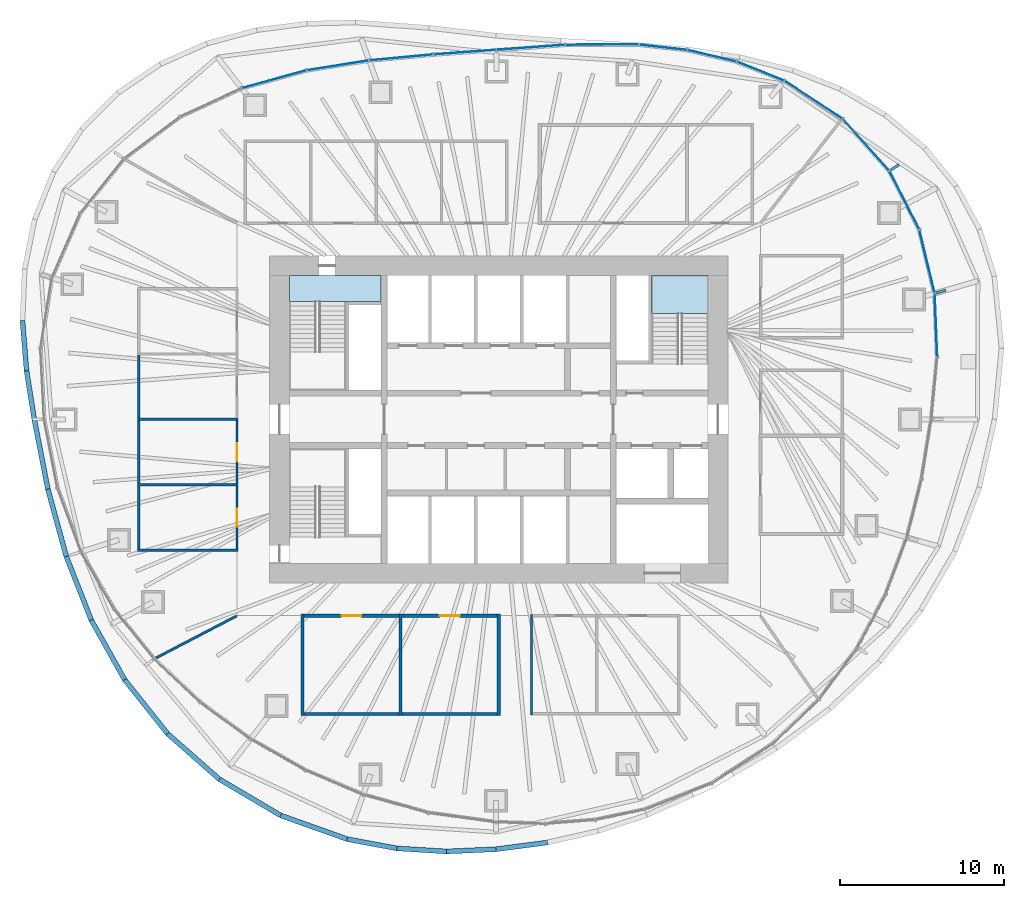
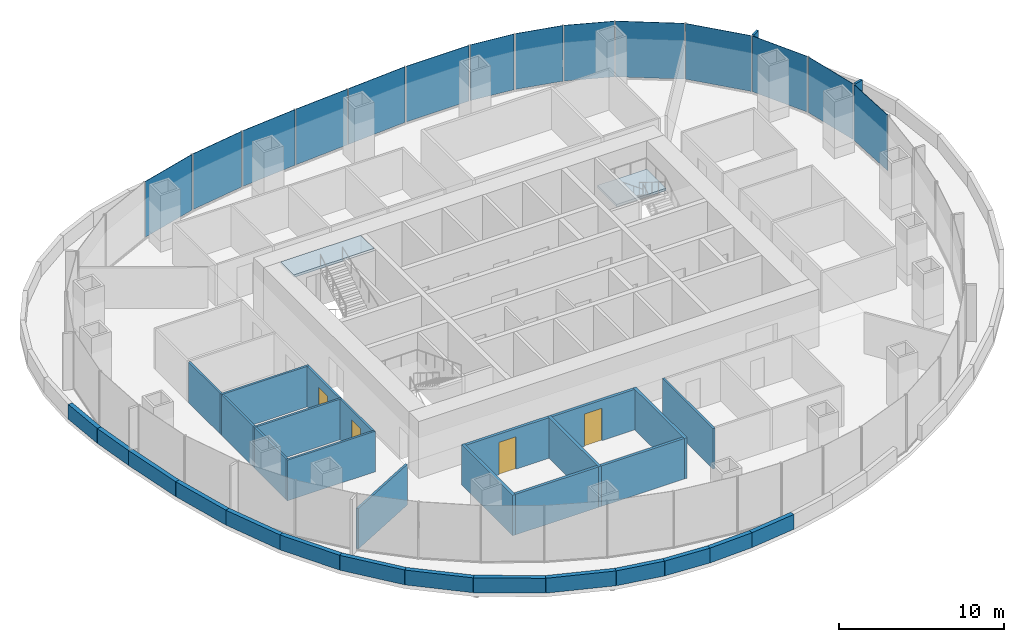
# One storey, part 8 of 12: 31 walls, 16 plates, 4 doors, 2 slabs, 4 openings, 9 elements without a shape of their own.
"""IFC4 building model written with IfcOpenShell, lengths in metres."""

from ifc_helpers import new_model, si_unit, direction, frame, frame_2d, origin, origin_2d, place, context, subcontext, project, spatial, polyline, rectangle, outline, extrude, material, layer, layer_set, type_object, element, fill, aggregate, save


model = new_model("IFC4")

# Units and contexts
model_context = context("Model", 3, precision=1e-05, world=origin(), true_north=direction((0.0, 1.0)))
body_context = subcontext(model_context, "Body", "Model", "MODEL_VIEW")
ifc_project = project(units=[si_unit("LENGTHUNIT", "METRE"), si_unit("AREAUNIT", "SQUARE_METRE"), si_unit("VOLUMEUNIT", "CUBIC_METRE"), si_unit("PLANEANGLEUNIT", "RADIAN"), si_unit("MASSUNIT", "GRAM", prefix="KILO")], contexts=[model_context])

# Site, building, storey
site_placement = place(None, origin())
site = spatial("IfcSite", under=ifc_project, at=site_placement, CompositionType="ELEMENT")
building_placement = place(site_placement, origin())
building = spatial("IfcBuilding", under=site, at=building_placement, Name="Ghaith Harvest Tower", CompositionType="ELEMENT")
storey_placement = place(building_placement, frame((0.0, 0.0, 194.800048828125)))
storey = spatial("IfcBuildingStorey", under=building, at=storey_placement, Name="L42", CompositionType="ELEMENT", Elevation=194.800048828125)

# Curtain wall, plate
ifc_material_1 = material(Name="Black anodised aluminium and fritted glass", Category="aluminium")
curtain_wall_type = type_object("IfcCurtainWallType", Name="CW-H CURTAIN WALL", PredefinedType="NOTDEFINED", material=ifc_material_1)
curtain_wall_1_placement = place(storey_placement, origin())
curtain_wall_1 = element("IfcCurtainWall", 1, at=curtain_wall_1_placement, inside=storey, type_object=curtain_wall_type, Name="Curtain wall CW-H bay 01 L42", PredefinedType="NOTDEFINED")
ifc_material_2 = material(Name="Glass, dark solar-control fritted double glazed unit", Category="glass")
ifc_layer_1 = layer(ifc_material_2, 0.030029296875)
ifc_layer_set_1 = layer_set([ifc_layer_1], Name="CW-H VISION PANEL")
plate_type_1 = type_object("IfcPlateType", Name="CW-H VISION PANEL", PredefinedType="CURTAIN_PANEL", material=ifc_layer_set_1)
plate_1_placement = place(storey_placement, frame((26.7255859375, 5.74853515625, 0.079833984375), z_axis=(0.0, 0.0, 1.0), x_axis=(-0.040462173218, 0.999181070947, 0.0)))
plate_1 = element("IfcPlate", 2, at=plate_1_placement, type_object=plate_type_1, Name="CW-H glass unit 2 bay 01 L42", PredefinedType="CURTAIN_PANEL", context=body_context, shape_type="SweptSolid", body=[
    extrude(rectangle(XDim=3.82861328125, YDim=0.030029296875, at=origin_2d()), origin(), (0.0, 0.0, 1.0), 4.1201171875),
])
aggregate(curtain_wall_1, [plate_1])

# Curtain wall, plates
curtain_wall_2_placement = place(storey_placement, origin())
curtain_wall_2 = element("IfcCurtainWall", 3, at=curtain_wall_2_placement, inside=storey, type_object=curtain_wall_type, Name="Curtain wall CW-H bay 02 L42", PredefinedType="NOTDEFINED")
plate_2_placement = place(storey_placement, frame((26.1767578125, 9.6533203125, 0.079833984375), z_axis=(0.0, 0.0, 1.0), x_axis=(-0.233894000303, 0.972262102842, 0.0)))
plate_2 = element("IfcPlate", 4, at=plate_2_placement, type_object=plate_type_1, Name="CW-H glass unit 1 bay 02 L42", PredefinedType="CURTAIN_PANEL", context=body_context, shape_type="SweptSolid", body=[
    extrude(rectangle(XDim=3.935546875, YDim=0.030029296875, at=origin_2d()), origin(), (0.0, 0.0, 1.0), 4.1201171875),
])
plate_3_placement = place(storey_placement, frame((24.790771484375, 13.399658203125, 0.079833984375), z_axis=(0.0, 0.0, 1.0), x_axis=(-0.454915320985, 0.890534699342, 0.0)))
plate_3 = element("IfcPlate", 5, at=plate_3_placement, type_object=plate_type_1, Name="CW-H glass unit 2 bay 02 L42", PredefinedType="CURTAIN_PANEL", context=body_context, shape_type="SweptSolid", body=[
    extrude(rectangle(XDim=3.949462890625, YDim=0.030029296875, at=origin_2d()), origin(), (0.0, 0.0, 1.0), 4.1201171875),
])
aggregate(curtain_wall_2, [plate_2, plate_3])

curtain_wall_3_placement = place(storey_placement, origin())
curtain_wall_3 = element("IfcCurtainWall", 6, at=curtain_wall_3_placement, inside=storey, type_object=curtain_wall_type, Name="Curtain wall CW-H bay 03 L42", PredefinedType="NOTDEFINED")
plate_4_placement = place(storey_placement, frame((22.44384765625, 16.783935546875, 0.079833984375), z_axis=(0.0, 0.0, 1.0), x_axis=(-0.668757736889, 0.743480389352, 0.0)))
plate_4 = element("IfcPlate", 7, at=plate_4_placement, type_object=plate_type_1, Name="CW-H glass unit 1 bay 03 L42", PredefinedType="CURTAIN_PANEL", context=body_context, shape_type="SweptSolid", body=[
    extrude(rectangle(XDim=4.19775390625, YDim=0.030029296875, at=origin_2d()), origin(), (0.0, 0.0, 1.0), 4.1201171875),
])
plate_5_placement = place(storey_placement, frame((19.236328125, 19.539306640625, 0.079833984375), z_axis=(0.0, 0.0, 1.0), x_axis=(-0.836276741583, 0.548307588392, 0.0)))
plate_5 = element("IfcPlate", 8, at=plate_5_placement, type_object=plate_type_1, Name="CW-H glass unit 2 bay 03 L42", PredefinedType="CURTAIN_PANEL", context=body_context, shape_type="SweptSolid", body=[
    extrude(rectangle(XDim=4.169677734375, YDim=0.030029296875, at=origin_2d()), origin(), (0.0, 0.0, 1.0), 4.1201171875),
])
aggregate(curtain_wall_3, [plate_4, plate_5])

curtain_wall_4_placement = place(storey_placement, origin())
curtain_wall_4 = element("IfcCurtainWall", 9, at=curtain_wall_4_placement, inside=storey, type_object=curtain_wall_type, Name="Curtain wall CW-H bay 04 L42", PredefinedType="NOTDEFINED")
plate_6_placement = place(storey_placement, frame((15.993408203125, 21.287841796875, 0.079833984375), z_axis=(0.0, 0.0, 1.0), x_axis=(-0.929107322045, 0.369810200133, 0.0)))
plate_6 = element("IfcPlate", 10, at=plate_6_placement, type_object=plate_type_1, Name="CW-H glass unit 1 bay 04 L42", PredefinedType="CURTAIN_PANEL", context=body_context, shape_type="SweptSolid", body=[
    extrude(rectangle(XDim=3.075927734375, YDim=0.030029296875, at=origin_2d()), origin(), (0.0, 0.0, 1.0), 4.1201171875),
])
plate_7_placement = place(storey_placement, frame((13.027099609375, 22.225341796875, 0.079833984375), z_axis=(0.0, 0.0, 1.0), x_axis=(-0.973266235028, 0.229679854916, 0.0)))
plate_7 = element("IfcPlate", 11, at=plate_7_placement, type_object=plate_type_1, Name="CW-H glass unit 2 bay 04 L42", PredefinedType="CURTAIN_PANEL", context=body_context, shape_type="SweptSolid", body=[
    extrude(rectangle(XDim=3.00244140625, YDim=0.030029296875, at=origin_2d()), origin(), (0.0, 0.0, 1.0), 4.1201171875),
])
plate_8_placement = place(storey_placement, frame((10.045654296875, 22.744384765625, 0.079833984375), z_axis=(0.0, 0.0, 1.0), x_axis=(-0.993865217442, 0.11059805405, 0.0)))
plate_8 = element("IfcPlate", 12, at=plate_8_placement, type_object=plate_type_1, Name="CW-H glass unit 3 bay 04 L42", PredefinedType="CURTAIN_PANEL", context=body_context, shape_type="SweptSolid", body=[
    extrude(rectangle(XDim=2.901123046875, YDim=0.030029296875, at=origin_2d()), origin(), (0.0, 0.0, 1.0), 4.1201171875),
])
aggregate(curtain_wall_4, [plate_6, plate_7, plate_8])

curtain_wall_5_placement = place(storey_placement, origin())
curtain_wall_5 = element("IfcCurtainWall", 13, at=curtain_wall_5_placement, inside=storey, type_object=curtain_wall_type, Name="Curtain wall CW-H bay 05 L42", PredefinedType="NOTDEFINED")
plate_9_placement = place(storey_placement, frame((6.31201171875, 22.904296875, 0.079833984375), z_axis=(0.0, 0.0, 1.0), x_axis=(-0.999997643645, -0.002170876291, 0.0)))
plate_9 = element("IfcPlate", 14, at=plate_9_placement, type_object=plate_type_1, Name="CW-H glass unit 1 bay 05 L42", PredefinedType="CURTAIN_PANEL", context=body_context, shape_type="SweptSolid", body=[
    extrude(rectangle(XDim=4.4248046875, YDim=0.030029296875, at=origin_2d()), origin(), (0.0, 0.0, 1.0), 4.1201171875),
])
plate_10_placement = place(storey_placement, frame((1.952392578125, 22.744873046875, 0.079833984375), z_axis=(0.0, 0.0, 1.0), x_axis=(-0.997324570719, -0.073100619976, 0.0)))
plate_10 = element("IfcPlate", 15, at=plate_10_placement, type_object=plate_type_1, Name="CW-H glass unit 2 bay 05 L42", PredefinedType="CURTAIN_PANEL", context=body_context, shape_type="SweptSolid", body=[
    extrude(rectangle(XDim=4.1455078125, YDim=0.030029296875, at=origin_2d()), origin(), (0.0, 0.0, 1.0), 4.1201171875),
])
aggregate(curtain_wall_5, [plate_9, plate_10])

curtain_wall_6_placement = place(storey_placement, origin())
curtain_wall_6 = element("IfcCurtainWall", 16, at=curtain_wall_6_placement, inside=storey, type_object=curtain_wall_type, Name="Curtain wall CW-H bay 06 L42", PredefinedType="NOTDEFINED")
plate_11_placement = place(storey_placement, frame((-2.0693359375, 22.450439453125, 0.079833984375), z_axis=(0.0, 0.0, 1.0), x_axis=(-0.997334393671, -0.072966479985, 0.0)))
plate_11 = element("IfcPlate", 17, at=plate_11_placement, type_object=plate_type_1, Name="CW-H glass unit 1 bay 06 L42", PredefinedType="CURTAIN_PANEL", context=body_context, shape_type="SweptSolid", body=[
    extrude(rectangle(XDim=3.759765625, YDim=0.030029296875, at=origin_2d()), origin(), (0.0, 0.0, 1.0), 4.1201171875),
])
plate_12_placement = place(storey_placement, frame((-5.954345703125, 22.12548828125, 0.079833984375), z_axis=(0.0, 0.0, 1.0), x_axis=(-0.995631991968, -0.093364535934, 0.0)))
plate_12 = element("IfcPlate", 18, at=plate_12_placement, type_object=plate_type_1, Name="CW-H glass unit 2 bay 06 L42", PredefinedType="CURTAIN_PANEL", context=body_context, shape_type="SweptSolid", body=[
    extrude(rectangle(XDim=3.87744140625, YDim=0.030029296875, at=origin_2d()), origin(), (0.0, 0.0, 1.0), 4.1201171875),
])
aggregate(curtain_wall_6, [plate_11, plate_12])

curtain_wall_7_placement = place(storey_placement, origin())
curtain_wall_7 = element("IfcCurtainWall", 19, at=curtain_wall_7_placement, inside=storey, type_object=curtain_wall_type, Name="Curtain wall CW-H bay 07 L42", PredefinedType="NOTDEFINED")
plate_13_placement = place(storey_placement, frame((-9.83837890625, 21.638671875, 0.079833984375), z_axis=(0.0, 0.0, 1.0), x_axis=(-0.98777033338, -0.155915901993, 0.0)))
plate_13 = element("IfcPlate", 20, at=plate_13_placement, type_object=plate_type_1, Name="CW-H glass unit 1 bay 07 L42", PredefinedType="CURTAIN_PANEL", context=body_context, shape_type="SweptSolid", body=[
    extrude(rectangle(XDim=3.795166015625, YDim=0.030029296875, at=origin_2d()), origin(), (0.0, 0.0, 1.0), 4.1201171875),
])
plate_14_placement = place(storey_placement, frame((-13.736572265625, 20.78955078125, 0.079833984375), z_axis=(0.0, 0.0, 1.0), x_axis=(-0.964034113875, -0.26577853052, 0.0)))
plate_14 = element("IfcPlate", 21, at=plate_14_placement, type_object=plate_type_1, Name="CW-H glass unit 2 bay 07 L42", PredefinedType="CURTAIN_PANEL", context=body_context, shape_type="SweptSolid", body=[
    extrude(rectangle(XDim=4.03662109375, YDim=0.030029296875, at=origin_2d()), origin(), (0.0, 0.0, 1.0), 4.1201171875),
])
aggregate(curtain_wall_7, [plate_13, plate_14])

# Stair, slab
ifc_material_3 = material(Name="Concrete C40/50, precast", Category="concrete")
stair_type = type_object("IfcStairType", Name="CORE STAIR 24R", PredefinedType="HALF_TURN_STAIR", material=ifc_material_3)
stair_1_placement = place(storey_placement, origin())
stair_1 = element("IfcStair", 22, at=stair_1_placement, inside=storey, type_object=stair_type, Name="Stair ST1 L42", PredefinedType="HALF_TURN_STAIR")
ifc_material_4 = material(Name="Concrete C40/50, precast", Category="concrete")
ifc_layer_2 = layer(ifc_material_4, 0.179931640625)
ifc_layer_set_2 = layer_set([ifc_layer_2], Name="STAIR LANDING 180")
slab_type = type_object("IfcSlabType", Name="STAIR LANDING 180", PredefinedType="LANDING", material=ifc_layer_set_2)
slab_1_placement = place(storey_placement, frame((0.0, 0.0, 4.02001953125)))
slab_1 = element("IfcSlab", 23, at=slab_1_placement, type_object=slab_type, Name="ST1 landing 2", PredefinedType="LANDING", context=body_context, shape_type="SweptSolid", body=[
    extrude(outline(polyline([(-12.800048828125, 8.800048828125), (-12.800048828125, 7.199951171875), (-7.199951171875, 7.199951171875), (-7.199951171875, 8.800048828125), (-12.800048828125, 8.800048828125)])), origin(), (0.0, 0.0, 1.0), 0.179931640625),
])
aggregate(stair_1, [slab_1])

stair_2_placement = place(storey_placement, origin())
stair_2 = element("IfcStair", 24, at=stair_2_placement, inside=storey, type_object=stair_type, Name="Stair ST2 L42", PredefinedType="HALF_TURN_STAIR")
slab_2_placement = place(storey_placement, frame((0.0, 0.0, 1.919921875)))
slab_2 = element("IfcSlab", 25, at=slab_2_placement, type_object=slab_type, Name="ST2 landing 1", PredefinedType="LANDING", context=body_context, shape_type="SweptSolid", body=[
    extrude(outline(polyline([(12.800048828125, 6.4599609375), (12.800048828125, 8.800048828125), (9.35009765625, 8.800048828125), (9.35009765625, 6.4599609375), (12.800048828125, 6.4599609375)])), origin(), (0.0, 0.0, 1.0), 0.179931640625),
])
aggregate(stair_2, [slab_2])

# Plates
ifc_material_5 = material(Name="Glassfibre-reinforced concrete", Category="concrete")
ifc_layer_3 = layer(ifc_material_5, 0.14990234375)
ifc_layer_set_3 = layer_set([ifc_layer_3], Name="SUN-BREAKER FIN 600x150")
plate_type_2 = type_object("IfcPlateType", Name="SUN-BREAKER FIN 600x150", PredefinedType="USERDEFINED", material=ifc_layer_set_3)
for number, where, z_axis, x_axis, name in (
    (26, (27.03076171875, 7.8125, 0.0), (0.0, 0.0, 1.0), (0.960680349985, 0.277656739792, 0.0), "Sun-breaker fin CW-H 1 bay 02 L42"),
    (27, (24.211669921875, 15.408447265625, 0.0), (0.0, 0.0, 1.0), (0.843643971464, 0.536903016766, 0.0), "Sun-breaker fin CW-H 1 bay 03 L42"),
):
    element("IfcPlate", number, at=place(storey_placement, frame(where, z_axis=z_axis, x_axis=x_axis)), inside=storey, type_object=plate_type_2, Name=name, ObjectType="SUN-BREAKER FIN", PredefinedType="USERDEFINED", context=body_context, shape_type="SweptSolid", body=[
        extrude(rectangle(XDim=0.60009765625, YDim=0.14990234375, at=origin_2d()), origin(), (0.0, 0.0, 1.0), 4.199951171875),
    ])

# Walls
ifc_material_6 = material(Name="Twin-stud gypsum board, acoustic", Category="gypsum")
ifc_layer_4 = layer(ifc_material_6, 0.199951171875)
ifc_layer_set_4 = layer_set([ifc_layer_4], Name="ACOUSTIC PARTITION 200")
wall_type_1 = type_object("IfcWallType", Name="ACOUSTIC PARTITION 200", PredefinedType="PARTITIONING", material=ifc_layer_set_4)
for number, where, z_axis, x_axis, name in (
    (28, (-12.0, -11.89990234375, 0.0), (0.0, 0.0, 1.0), (0.0, -1.0, 0.0), "Partition L42 row S3 cross wall 1"),
    (29, (-6.0, -11.89990234375, 0.0), (0.0, 0.0, 1.0), (0.0, -1.0, 0.0), "Partition L42 row S3 cross wall 2"),
    (30, (0.0, -11.89990234375, 0.0), (0.0, 0.0, 1.0), (0.0, -1.0, 0.0), "Partition L42 row S3 cross wall 3"),
):
    element("IfcWall", number, at=place(storey_placement, frame(where, z_axis=z_axis, x_axis=x_axis)), inside=storey, type_object=wall_type_1, Name=name, PredefinedType="PARTITIONING", context=body_context, shape_type="SweptSolid", body=[
        extrude(rectangle(XDim=6.2001953125, YDim=0.199951171875, at=frame_2d((3.10009765625, 0.0))), origin(), (0.0, 0.0, 1.0), 3.0),
    ])

# Wall, opening, door
wall_1_placement = place(storey_placement, frame((-11.89990234375, -12.0, 0.0), z_axis=(0.0, 0.0, 1.0), x_axis=(1.0, 0.0, 0.0)))
wall_1 = element("IfcWall", 31, at=wall_1_placement, inside=storey, type_object=wall_type_1, Name="Partition L42-07", PredefinedType="PARTITIONING", context=body_context, shape_type="SweptSolid", body=[
    extrude(rectangle(XDim=5.7998046875, YDim=0.199951171875, at=frame_2d((2.89990234375, 0.0))), origin(), (0.0, 0.0, 1.0), 3.0),
])
opening_1_placement = place(wall_1_placement, frame((2.300048828125, 0.0, 0.0)))
opening_1 = element("IfcOpeningElement", 32, at=opening_1_placement, cuts=wall_1, Name="Opening 42-027", PredefinedType="OPENING", context=body_context, shape_type="SweptSolid", body=[
    extrude(rectangle(XDim=1.199951171875, YDim=2.39990234375, at=frame_2d((0.60009765625, 1.199951171875))), frame((0.0, 0.10986328125, 0.0), z_axis=(0.0, -1.0, 0.0), x_axis=(1.0, 0.0, 0.0)), (0.0, 0.0, 1.0), 0.219970703125),
])
ifc_material_7 = material(Name="Timber door", Category="wood")
door_type_1 = type_object("IfcDoorType", Name="D11 GLAZED 1200x2400", OperationType="SINGLE_SWING_LEFT", PredefinedType="DOOR", material=ifc_material_7)
door_1_placement = place(opening_1_placement, origin())
door_1 = element("IfcDoor", 33, at=door_1_placement, inside=storey, type_object=door_type_1, Name="Meeting room door", OperationType="SINGLE_SWING_LEFT", OverallHeight=2.39990234375, OverallWidth=1.199951171875, PredefinedType="DOOR", context=body_context, shape_type="SweptSolid", body=[
    extrude(rectangle(XDim=1.199951171875, YDim=2.39990234375, at=frame_2d((0.60009765625, 1.199951171875))), frame((0.0, 0.02490234375, 0.0), z_axis=(0.0, -1.0, 0.0), x_axis=(1.0, 0.0, 0.0)), (0.0, 0.0, 1.0), 0.050048828125),
])
fill(opening_1, door_1)

# Wall
wall_2_placement = place(storey_placement, frame((-11.89990234375, -18.0, 0.0), z_axis=(0.0, 0.0, 1.0), x_axis=(1.0, 0.0, 0.0)))
element("IfcWall", 34, at=wall_2_placement, inside=storey, type_object=wall_type_1, Name="Partition L42-07", PredefinedType="PARTITIONING", context=body_context, shape_type="SweptSolid", body=[
    extrude(rectangle(XDim=5.7998046875, YDim=0.199951171875, at=frame_2d((2.89990234375, 0.0))), origin(), (0.0, 0.0, 1.0), 3.0),
])

# Wall, opening, door
wall_3_placement = place(storey_placement, frame((-5.89990234375, -12.0, 0.0), z_axis=(0.0, 0.0, 1.0), x_axis=(1.0, 0.0, 0.0)))
wall_3 = element("IfcWall", 35, at=wall_3_placement, inside=storey, type_object=wall_type_1, Name="Partition L42-08", PredefinedType="PARTITIONING", context=body_context, shape_type="SweptSolid", body=[
    extrude(rectangle(XDim=5.7998046875, YDim=0.199951171875, at=frame_2d((2.89990234375, 0.0))), origin(), (0.0, 0.0, 1.0), 3.0),
])
opening_2_placement = place(wall_3_placement, frame((2.300048828125, 0.0, 0.0)))
opening_2 = element("IfcOpeningElement", 36, at=opening_2_placement, cuts=wall_3, Name="Opening 42-028", PredefinedType="OPENING", context=body_context, shape_type="SweptSolid", body=[
    extrude(rectangle(XDim=1.199951171875, YDim=2.39990234375, at=frame_2d((0.60009765625, 1.199951171875))), frame((0.0, 0.10986328125, 0.0), z_axis=(0.0, -1.0, 0.0), x_axis=(1.0, 0.0, 0.0)), (0.0, 0.0, 1.0), 0.219970703125),
])
door_2_placement = place(opening_2_placement, origin())
door_2 = element("IfcDoor", 37, at=door_2_placement, inside=storey, type_object=door_type_1, Name="Meeting room door", OperationType="SINGLE_SWING_LEFT", OverallHeight=2.39990234375, OverallWidth=1.199951171875, PredefinedType="DOOR", context=body_context, shape_type="SweptSolid", body=[
    extrude(rectangle(XDim=1.199951171875, YDim=2.39990234375, at=frame_2d((0.60009765625, 1.199951171875))), frame((0.0, 0.02490234375, 0.0), z_axis=(0.0, -1.0, 0.0), x_axis=(1.0, 0.0, 0.0)), (0.0, 0.0, 1.0), 0.050048828125),
])
fill(opening_2, door_2)

# Walls
wall_4_placement = place(storey_placement, frame((-5.89990234375, -18.0, 0.0), z_axis=(0.0, 0.0, 1.0), x_axis=(1.0, 0.0, 0.0)))
element("IfcWall", 38, at=wall_4_placement, inside=storey, type_object=wall_type_1, Name="Partition L42-08", PredefinedType="PARTITIONING", context=body_context, shape_type="SweptSolid", body=[
    extrude(rectangle(XDim=5.7998046875, YDim=0.199951171875, at=frame_2d((2.89990234375, 0.0))), origin(), (0.0, 0.0, 1.0), 3.0),
])
ifc_material_8 = material(Name="Concrete C40/50", Category="concrete")
ifc_layer_5 = layer(ifc_material_8, 0.300048828125)
ifc_layer_set_5 = layer_set([ifc_layer_5], Name="PARAPET 300")
wall_type_2 = type_object("IfcWallType", Name="PARAPET 300", PredefinedType="PARAPET", material=ifc_layer_set_5)
wall_5_placement = place(storey_placement, frame((-29.113525390625, 6.041259765625, 0.0), z_axis=(0.0, 0.0, 1.0), x_axis=(0.081344380579, -0.996686054758, 0.0)))
element("IfcWall", 39, at=wall_5_placement, inside=storey, type_object=wall_type_2, Name="Parapet 10.2 L42", PredefinedType="PARAPET", context=body_context, shape_type="SweptSolid", body=[
    extrude(rectangle(XDim=3.08837890625, YDim=0.300048828125, at=frame_2d((1.544189453125, 0.0))), origin(), (0.0, 0.0, 1.0), 1.099853515625),
])
wall_6_placement = place(storey_placement, frame((-28.8623046875, 2.963134765625, 0.0), z_axis=(0.0, 0.0, 1.0), x_axis=(0.156965340038, -0.987604111994, 0.0)))
element("IfcWall", 40, at=wall_6_placement, inside=storey, type_object=wall_type_2, Name="Parapet 10.3 L42", PredefinedType="PARAPET", context=body_context, shape_type="SweptSolid", body=[
    extrude(rectangle(XDim=3.000244140625, YDim=0.300048828125, at=frame_2d((1.5, 0.0))), origin(), (0.0, 0.0, 1.0), 1.099853515625),
])
wall_7_placement = place(storey_placement, frame((-28.391357421875, 0.0, 0.0), z_axis=(0.0, 0.0, 1.0), x_axis=(0.191129953583, -0.981564741035, 0.0)))
element("IfcWall", 41, at=wall_7_placement, inside=storey, type_object=wall_type_2, Name="Parapet 11.1 L42", PredefinedType="PARAPET", context=body_context, shape_type="SweptSolid", body=[
    extrude(rectangle(XDim=4.343017578125, YDim=0.300048828125, at=frame_2d((2.17138671875, 0.0))), origin(), (0.0, 0.0, 1.0), 1.099853515625),
])
wall_8_placement = place(storey_placement, frame((-27.561279296875, -4.262939453125, 0.0), z_axis=(0.0, 0.0, 1.0), x_axis=(0.263470871908, -0.964667351814, 0.0)))
element("IfcWall", 42, at=wall_8_placement, inside=storey, type_object=wall_type_2, Name="Parapet 11.2 L42", PredefinedType="PARAPET", context=body_context, shape_type="SweptSolid", body=[
    extrude(rectangle(XDim=4.26611328125, YDim=0.300048828125, at=frame_2d((2.133056640625, 0.0))), origin(), (0.0, 0.0, 1.0), 1.099853515625),
])
wall_9_placement = place(storey_placement, frame((-26.437255859375, -8.37841796875, 0.0), z_axis=(0.0, 0.0, 1.0), x_axis=(0.365502120614, -0.930810506938, 0.0)))
element("IfcWall", 43, at=wall_9_placement, inside=storey, type_object=wall_type_2, Name="Parapet 12.1 L42", PredefinedType="PARAPET", context=body_context, shape_type="SweptSolid", body=[
    extrude(rectangle(XDim=4.1728515625, YDim=0.300048828125, at=frame_2d((2.08642578125, 0.0))), origin(), (0.0, 0.0, 1.0), 1.099853515625),
])
wall_10_placement = place(storey_placement, frame((-24.912109375, -12.262451171875, 0.0), z_axis=(0.0, 0.0, 1.0), x_axis=(0.488583818606, -0.872516963844, 0.0)))
element("IfcWall", 44, at=wall_10_placement, inside=storey, type_object=wall_type_2, Name="Parapet 12.2 L42", PredefinedType="PARAPET", context=body_context, shape_type="SweptSolid", body=[
    extrude(rectangle(XDim=4.182861328125, YDim=0.300048828125, at=frame_2d((2.09130859375, 0.0))), origin(), (0.0, 0.0, 1.0), 1.099853515625),
])
wall_11_placement = place(storey_placement, frame((-22.868408203125, -15.912109375, 0.0), z_axis=(0.0, 0.0, 1.0), x_axis=(0.622438896424, -0.782668397355, 0.0)))
element("IfcWall", 45, at=wall_11_placement, inside=storey, type_object=wall_type_2, Name="Parapet 13.1 L42", PredefinedType="PARAPET", context=body_context, shape_type="SweptSolid", body=[
    extrude(rectangle(XDim=4.214599609375, YDim=0.300048828125, at=frame_2d((2.107421875, 0.0))), origin(), (0.0, 0.0, 1.0), 1.099853515625),
])
wall_12_placement = place(storey_placement, frame((-20.2451171875, -19.210693359375, 0.0), z_axis=(0.0, 0.0, 1.0), x_axis=(0.750934151347, -0.660377089503, 0.0)))
element("IfcWall", 46, at=wall_12_placement, inside=storey, type_object=wall_type_2, Name="Parapet 13.2 L42", PredefinedType="PARAPET", context=body_context, shape_type="SweptSolid", body=[
    extrude(rectangle(XDim=4.2138671875, YDim=0.300048828125, at=frame_2d((2.10693359375, 0.0))), origin(), (0.0, 0.0, 1.0), 1.099853515625),
])
wall_13_placement = place(storey_placement, frame((-17.080810546875, -21.993408203125, 0.0), z_axis=(0.0, 0.0, 1.0), x_axis=(0.861138627199, -0.508370204423, 0.0)))
element("IfcWall", 47, at=wall_13_placement, inside=storey, type_object=wall_type_2, Name="Parapet 14.1 L42", PredefinedType="PARAPET", context=body_context, shape_type="SweptSolid", body=[
    extrude(rectangle(XDim=4.3525390625, YDim=0.300048828125, at=frame_2d((2.17626953125, 0.0))), origin(), (0.0, 0.0, 1.0), 1.099853515625),
])
wall_14_placement = place(storey_placement, frame((-13.332763671875, -24.2060546875, 0.0), z_axis=(0.0, 0.0, 1.0), x_axis=(0.941955383796, -0.335738074899, 0.0)))
element("IfcWall", 48, at=wall_14_placement, inside=storey, type_object=wall_type_2, Name="Parapet 14.2 L42", PredefinedType="PARAPET", context=body_context, shape_type="SweptSolid", body=[
    extrude(rectangle(XDim=4.317138671875, YDim=0.300048828125, at=frame_2d((2.15869140625, 0.0))), origin(), (0.0, 0.0, 1.0), 1.099853515625),
])
wall_15_placement = place(storey_placement, frame((-9.26611328125, -25.655517578125, 0.0), z_axis=(0.0, 0.0, 1.0), x_axis=(0.983104236835, -0.183046604766, 0.0)))
element("IfcWall", 49, at=wall_15_placement, inside=storey, type_object=wall_type_2, Name="Parapet 15.1 L42", PredefinedType="PARAPET", context=body_context, shape_type="SweptSolid", body=[
    extrude(rectangle(XDim=3.08642578125, YDim=0.300048828125, at=frame_2d((1.543212890625, 0.0))), origin(), (0.0, 0.0, 1.0), 1.099853515625),
])
wall_16_placement = place(storey_placement, frame((-6.23193359375, -26.220458984375, 0.0), z_axis=(0.0, 0.0, 1.0), x_axis=(0.998109756052, -0.061456609689, 0.0)))
element("IfcWall", 50, at=wall_16_placement, inside=storey, type_object=wall_type_2, Name="Parapet 15.2 L42", PredefinedType="PARAPET", context=body_context, shape_type="SweptSolid", body=[
    extrude(rectangle(XDim=3.051025390625, YDim=0.300048828125, at=frame_2d((1.525390625, 0.0))), origin(), (0.0, 0.0, 1.0), 1.099853515625),
])
wall_17_placement = place(storey_placement, frame((-3.186767578125, -26.407958984375, 0.0), z_axis=(0.0, 0.0, 1.0), x_axis=(0.999004349222, 0.044612893153, 0.0)))
element("IfcWall", 51, at=wall_17_placement, inside=storey, type_object=wall_type_2, Name="Parapet 15.3 L42", PredefinedType="PARAPET", context=body_context, shape_type="SweptSolid", body=[
    extrude(rectangle(XDim=3.009765625, YDim=0.300048828125, at=frame_2d((1.5048828125, 0.0))), origin(), (0.0, 0.0, 1.0), 1.099853515625),
])
wall_18_placement = place(storey_placement, frame((-0.179931640625, -26.273681640625, 0.0), z_axis=(0.0, 0.0, 1.0), x_axis=(0.991577747407, 0.12951282117, 0.0)))
element("IfcWall", 52, at=wall_18_placement, inside=storey, type_object=wall_type_2, Name="Parapet 16.1 L42", PredefinedType="PARAPET", context=body_context, shape_type="SweptSolid", body=[
    extrude(rectangle(XDim=3.185791015625, YDim=0.300048828125, at=frame_2d((1.5927734375, 0.0))), origin(), (0.0, 0.0, 1.0), 1.099853515625),
])
ifc_material_9 = material(Name="Gypsum board on steel studs", Category="steel")
ifc_layer_6 = layer(ifc_material_9, 0.14990234375)
ifc_layer_set_6 = layer_set([ifc_layer_6], Name="PARTITION 150")
wall_type_3 = type_object("IfcWallType", Name="PARTITION 150", PredefinedType="PARTITIONING", material=ifc_layer_set_6)
for number, where, z_axis, x_axis, name in (
    (53, (2.0, -11.925048828125, 0.0), (0.0, 0.0, 1.0), (0.0, -1.0, 0.0), "Partition L42 row S4 cross wall 1"),
    (54, (-15.925048828125, -8.0, 0.0), (0.0, 0.0, 1.0), (-1.0, 0.0, 0.0), "Partition L42 row W6 cross wall 1"),
    (55, (-15.925048828125, -4.0, 0.0), (0.0, 0.0, 1.0), (-1.0, 0.0, 0.0), "Partition L42 row W6 cross wall 2"),
    (56, (-15.925048828125, 0.0, 0.0), (0.0, 0.0, 1.0), (-1.0, 0.0, 0.0), "Partition L42 row W6 cross wall 3"),
):
    element("IfcWall", number, at=place(storey_placement, frame(where, z_axis=z_axis, x_axis=x_axis)), inside=storey, type_object=wall_type_3, Name=name, PredefinedType="PARTITIONING", context=body_context, shape_type="SweptSolid", body=[
        extrude(rectangle(XDim=6.14990234375, YDim=0.14990234375, at=frame_2d((3.074951171875, 0.0))), origin(), (0.0, 0.0, 1.0), 3.0),
    ])

# Wall, opening, door
wall_19_placement = place(storey_placement, frame((-16.0, -7.925048828125, 0.0), z_axis=(0.0, 0.0, 1.0), x_axis=(0.0, 1.0, 0.0)))
wall_19 = element("IfcWall", 57, at=wall_19_placement, inside=storey, type_object=wall_type_3, Name="Partition L42-13", PredefinedType="PARTITIONING", context=body_context, shape_type="SweptSolid", body=[
    extrude(rectangle(XDim=3.85009765625, YDim=0.14990234375, at=frame_2d((1.925048828125, 0.0))), origin(), (0.0, 0.0, 1.0), 3.0),
])
opening_3_placement = place(wall_19_placement, frame((1.375, 0.0, 0.0)))
opening_3 = element("IfcOpeningElement", 58, at=opening_3_placement, cuts=wall_19, Name="Opening 42-033", PredefinedType="OPENING", context=body_context, shape_type="SweptSolid", body=[
    extrude(rectangle(XDim=1.10009765625, YDim=2.300048828125, at=frame_2d((0.550048828125, 1.14990234375))), frame((0.0, 0.0849609375, 0.0), z_axis=(0.0, -1.0, 0.0), x_axis=(1.0, 0.0, 0.0)), (0.0, 0.0, 1.0), 0.169921875),
])
ifc_material_10 = material(Name="Timber-framed glazed door", Category="wood")
door_type_2 = type_object("IfcDoorType", Name="D12 GLAZED OFFICE 1100x2300", OperationType="SINGLE_SWING_LEFT", PredefinedType="DOOR", material=ifc_material_10)
door_3_placement = place(opening_3_placement, origin())
door_3 = element("IfcDoor", 59, at=door_3_placement, inside=storey, type_object=door_type_2, Name="Office door", OperationType="SINGLE_SWING_LEFT", OverallHeight=2.300048828125, OverallWidth=1.10009765625, PredefinedType="DOOR", context=body_context, shape_type="SweptSolid", body=[
    extrude(rectangle(XDim=1.10009765625, YDim=2.300048828125, at=frame_2d((0.550048828125, 1.14990234375))), frame((0.0, 0.02490234375, 0.0), z_axis=(0.0, -1.0, 0.0), x_axis=(1.0, 0.0, 0.0)), (0.0, 0.0, 1.0), 0.050048828125),
])
fill(opening_3, door_3)

# Wall
wall_20_placement = place(storey_placement, frame((-22.0, -7.925048828125, 0.0), z_axis=(0.0, 0.0, 1.0), x_axis=(0.0, 1.0, 0.0)))
element("IfcWall", 60, at=wall_20_placement, inside=storey, type_object=wall_type_3, Name="Partition L42-13", PredefinedType="PARTITIONING", context=body_context, shape_type="SweptSolid", body=[
    extrude(rectangle(XDim=3.85009765625, YDim=0.14990234375, at=frame_2d((1.925048828125, 0.0))), origin(), (0.0, 0.0, 1.0), 3.0),
])

# Wall, opening, door
wall_21_placement = place(storey_placement, frame((-16.0, -3.925048828125, 0.0), z_axis=(0.0, 0.0, 1.0), x_axis=(0.0, 1.0, 0.0)))
wall_21 = element("IfcWall", 61, at=wall_21_placement, inside=storey, type_object=wall_type_3, Name="Partition L42-14", PredefinedType="PARTITIONING", context=body_context, shape_type="SweptSolid", body=[
    extrude(rectangle(XDim=3.85009765625, YDim=0.14990234375, at=frame_2d((1.925048828125, 0.0))), origin(), (0.0, 0.0, 1.0), 3.0),
])
opening_4_placement = place(wall_21_placement, frame((1.375, 0.0, 0.0)))
opening_4 = element("IfcOpeningElement", 62, at=opening_4_placement, cuts=wall_21, Name="Opening 42-034", PredefinedType="OPENING", context=body_context, shape_type="SweptSolid", body=[
    extrude(rectangle(XDim=1.10009765625, YDim=2.300048828125, at=frame_2d((0.550048828125, 1.14990234375))), frame((0.0, 0.0849609375, 0.0), z_axis=(0.0, -1.0, 0.0), x_axis=(1.0, 0.0, 0.0)), (0.0, 0.0, 1.0), 0.169921875),
])
door_4_placement = place(opening_4_placement, origin())
door_4 = element("IfcDoor", 63, at=door_4_placement, inside=storey, type_object=door_type_2, Name="Office door", OperationType="SINGLE_SWING_LEFT", OverallHeight=2.300048828125, OverallWidth=1.10009765625, PredefinedType="DOOR", context=body_context, shape_type="SweptSolid", body=[
    extrude(rectangle(XDim=1.10009765625, YDim=2.300048828125, at=frame_2d((0.550048828125, 1.14990234375))), frame((0.0, 0.02490234375, 0.0), z_axis=(0.0, -1.0, 0.0), x_axis=(1.0, 0.0, 0.0)), (0.0, 0.0, 1.0), 0.050048828125),
])
fill(opening_4, door_4)

# Walls
for number, where, z_axis, x_axis, name in (
    (64, (-22.0, -3.925048828125, 0.0), (0.0, 0.0, 1.0), (0.0, 1.0, 0.0), "Partition L42-14"),
    (65, (-22.0, 0.074951171875, 0.0), (0.0, 0.0, 1.0), (0.0, 1.0, 0.0), "Partition L42-15"),
):
    element("IfcWall", number, at=place(storey_placement, frame(where, z_axis=z_axis, x_axis=x_axis)), inside=storey, type_object=wall_type_3, Name=name, PredefinedType="PARTITIONING", context=body_context, shape_type="SweptSolid", body=[
        extrude(rectangle(XDim=3.85009765625, YDim=0.14990234375, at=frame_2d((1.925048828125, 0.0))), origin(), (0.0, 0.0, 1.0), 3.0),
    ])
wall_22_placement = place(storey_placement, frame((-16.017578125, -12.00927734375, 0.0), z_axis=(0.0, 0.0, 1.0), x_axis=(-0.886831549241, -0.462092851351, 0.0)))
element("IfcWall", 66, at=wall_22_placement, inside=storey, type_object=wall_type_3, Name="Partition L42 zone division", PredefinedType="PARTITIONING", context=body_context, shape_type="SweptSolid", body=[
    extrude(rectangle(XDim=5.555419921875, YDim=0.14990234375, at=frame_2d((2.77783203125, 0.0))), origin(), (0.0, 0.0, 1.0), 3.0),
])

save(model, "model.ifc")
